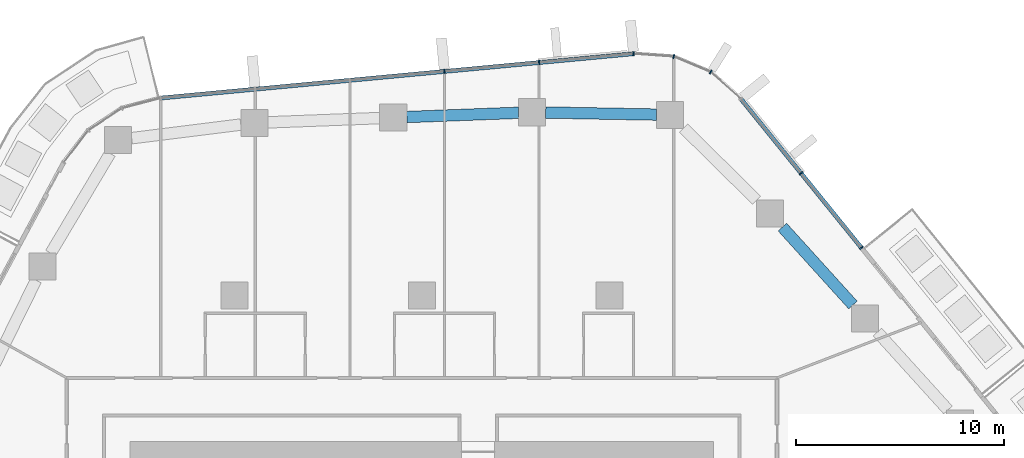
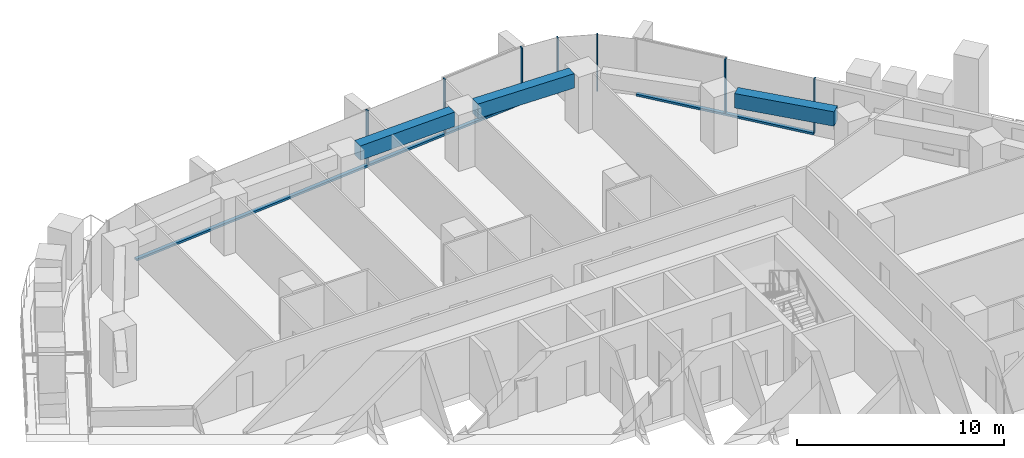
# One storey, part 8 of 24: 9 members, 3 beams, 3 elements without a shape of their own.
"""IFC4 building model written with IfcOpenShell, lengths in metres."""

from ifc_helpers import new_model, si_unit, direction, frame, origin, origin_2d, place, context, subcontext, project, spatial, rectangle, extrude, material, layer, layer_set, material_profile, profile_set, type_object, element, aggregate, save


model = new_model("IFC4")

# Units and contexts
model_context = context("Model", 3, precision=1e-05, world=origin(), true_north=direction((0.0, 1.0)))
body_context = subcontext(model_context, "Body", "Model", "MODEL_VIEW")
ifc_project = project(units=[si_unit("LENGTHUNIT", "METRE"), si_unit("AREAUNIT", "SQUARE_METRE"), si_unit("VOLUMEUNIT", "CUBIC_METRE"), si_unit("PLANEANGLEUNIT", "RADIAN"), si_unit("MASSUNIT", "GRAM", prefix="KILO")], contexts=[model_context])

# Site, building, storey
site_placement = place(None, origin())
site = spatial("IfcSite", under=ifc_project, at=site_placement, CompositionType="ELEMENT")
building_placement = place(site_placement, origin())
building = spatial("IfcBuilding", under=site, at=building_placement, Name="Dongbaek Canopy Tower", CompositionType="ELEMENT")
storey_placement = place(building_placement, frame((0.0, 0.0, 124.800048828125)))
storey = spatial("IfcBuildingStorey", under=building, at=storey_placement, Name="L27", CompositionType="ELEMENT", Elevation=124.800048828125)

# Curtain wall, members
ifc_material_1 = material(Name="Aluminium 6063-T6 pale anodised", Category="aluminium")
ifc_layer = layer(ifc_material_1, 0.199951171875)
ifc_layer_set = layer_set([ifc_layer], Name="CW-1 unitised tower curtain wall")
curtain_wall_type = type_object("IfcCurtainWallType", Name="CW-1 unitised tower curtain wall", PredefinedType="NOTDEFINED", material=ifc_layer_set)
curtain_wall_1_placement = place(storey_placement, origin())
curtain_wall_1 = element("IfcCurtainWall", 1, at=curtain_wall_1_placement, inside=storey, type_object=curtain_wall_type, Name="CW-1 curtain wall F0.1", PredefinedType="NOTDEFINED")
ifc_material_2 = material(Name="Aluminium 6063-T6 pale anodised", Category="aluminium")
ifc_material_profile_1 = material_profile(ifc_material_2, rectangle(XDim=0.199951171875, YDim=0.06005859375, at=origin_2d()), Name="CW-1 mullion 60 x 200")
ifc_profile_set_1 = profile_set([ifc_material_profile_1], Name="Aluminium 6063-T6 pale anodised")
member_type_1 = type_object("IfcMemberType", Name="CW-1 mullion 60 x 200", PredefinedType="MULLION", material=ifc_profile_set_1)
member_1_placement = place(storey_placement, frame((21.099609375, 20.295654296875, 0.119873046875), z_axis=(0.0, 0.0, 1.0), x_axis=(0.777161000453, 0.629301818982, 0.0)))
member_1 = element("IfcMember", 2, at=member_1_placement, type_object=member_type_1, Name="CW-1 mullion F0.1.1", PredefinedType="MULLION", context=body_context, shape_type="SweptSolid", body=[
    extrude(rectangle(XDim=0.199951171875, YDim=0.06005859375, at=origin_2d()), origin(), (0.0, 0.0, 1.0), 3.18017578125),
])
member_2_placement = place(storey_placement, frame((18.203125, 23.87255859375, 0.119873046875), z_axis=(0.0, 0.0, 1.0), x_axis=(0.777161000453, 0.629301818982, 0.0)))
member_2 = element("IfcMember", 3, at=member_2_placement, type_object=member_type_1, Name="CW-1 mullion F0.1.2", PredefinedType="MULLION", context=body_context, shape_type="SweptSolid", body=[
    extrude(rectangle(XDim=0.199951171875, YDim=0.06005859375, at=origin_2d()), origin(), (0.0, 0.0, 1.0), 3.18017578125),
])

curtain_wall_2_placement = place(storey_placement, origin())
curtain_wall_2 = element("IfcCurtainWall", 4, at=curtain_wall_2_placement, inside=storey, type_object=curtain_wall_type, Name="CW-1 curtain wall K1.1", PredefinedType="NOTDEFINED")
member_3_placement = place(storey_placement, frame((13.865966796875, 28.727294921875, 0.0), z_axis=(0.0, 0.0, 1.0), x_axis=(0.53309103592, 0.846057886566, 0.0)))
member_3 = element("IfcMember", 5, at=member_3_placement, type_object=member_type_1, Name="CW-1 mullion K1.1.2", PredefinedType="MULLION", context=body_context, shape_type="SweptSolid", body=[
    extrude(rectangle(XDim=0.199951171875, YDim=0.06005859375, at=origin_2d()), origin(), (0.0, 0.0, 1.0), 3.300048828125),
])
member_4_placement = place(storey_placement, frame((12.09130859375, 29.47412109375, 0.0), z_axis=(0.0, 0.0, 1.0), x_axis=(0.232218440761, 0.972663660147, 0.0)))
member_4 = element("IfcMember", 6, at=member_4_placement, type_object=member_type_1, Name="CW-1 mullion K1.1.3", PredefinedType="MULLION", context=body_context, shape_type="SweptSolid", body=[
    extrude(rectangle(XDim=0.199951171875, YDim=0.06005859375, at=origin_2d()), origin(), (0.0, 0.0, 1.0), 3.300048828125),
])
member_5_placement = place(storey_placement, frame((10.162353515625, 29.610107421875, 0.0), z_axis=(0.0, 0.0, 1.0), x_axis=(0.070353695471, 0.997522108794, 0.0)))
member_5 = element("IfcMember", 7, at=member_5_placement, type_object=member_type_1, Name="CW-1 mullion K1.1.4", PredefinedType="MULLION", context=body_context, shape_type="SweptSolid", body=[
    extrude(rectangle(XDim=0.199951171875, YDim=0.06005859375, at=origin_2d()), origin(), (0.0, 0.0, 1.0), 3.300048828125),
])
aggregate(curtain_wall_2, [member_3, member_4, member_5])

curtain_wall_3_placement = place(storey_placement, origin())
curtain_wall_3 = element("IfcCurtainWall", 8, at=curtain_wall_3_placement, inside=storey, type_object=curtain_wall_type, Name="CW-1 curtain wall F1.1", PredefinedType="NOTDEFINED")
member_6_placement = place(storey_placement, frame((5.628662109375, 29.184814453125, 0.119873046875), z_axis=(0.0, 0.0, 1.0), x_axis=(-0.093397804951, 0.995628871634, 0.0)))
member_6 = element("IfcMember", 9, at=member_6_placement, type_object=member_type_1, Name="CW-1 mullion F1.1.2", PredefinedType="MULLION", context=body_context, shape_type="SweptSolid", body=[
    extrude(rectangle(XDim=0.199951171875, YDim=0.06005859375, at=origin_2d()), origin(), (0.0, 0.0, 1.0), 3.18017578125),
])
member_7_placement = place(storey_placement, frame((1.0869140625, 28.7587890625, 0.119873046875), z_axis=(0.0, 0.0, 1.0), x_axis=(-0.093397804951, 0.995628871634, 0.0)))
member_7 = element("IfcMember", 10, at=member_7_placement, type_object=member_type_1, Name="CW-1 mullion F1.1.3", PredefinedType="MULLION", context=body_context, shape_type="SweptSolid", body=[
    extrude(rectangle(XDim=0.199951171875, YDim=0.06005859375, at=origin_2d()), origin(), (0.0, 0.0, 1.0), 3.18017578125),
])

# Member
ifc_material_3 = material(Name="Aluminium 6063-T6 pale anodised", Category="aluminium")
ifc_material_profile_2 = material_profile(ifc_material_3, rectangle(XDim=0.199951171875, YDim=0.1201171875, at=origin_2d()), Name="CW-1 transom 120 x 200")
ifc_profile_set_2 = profile_set([ifc_material_profile_2], Name="Aluminium 6063-T6 pale anodised")
member_type_2 = type_object("IfcMemberType", Name="CW-1 transom 120 x 200", PredefinedType="USERDEFINED", material=ifc_profile_set_2)
member_8_placement = place(storey_placement, frame((21.099609375, 20.295654296875, 0.06005859375), z_axis=(-0.629300552765, 0.777162025764, 0.0), x_axis=(-0.777162025764, -0.629300552765, 0.0)))
member_8 = element("IfcMember", 11, at=member_8_placement, type_object=member_type_2, Name="CW-1 transom F0.1.1", ObjectType="TRANSOM", PredefinedType="USERDEFINED", context=body_context, shape_type="SweptSolid", body=[
    extrude(rectangle(XDim=0.199951171875, YDim=0.1201171875, at=origin_2d()), origin(), (0.0, 0.0, 1.0), 9.19677734375),
])

aggregate(curtain_wall_1, [member_1, member_2, member_8])

member_9_placement = place(storey_placement, frame((10.162353515625, 29.610107421875, 0.06005859375), z_axis=(-0.995629216218, -0.09339413158, 0.0), x_axis=(0.09339413158, -0.995629216218, 0.0)))
member_9 = element("IfcMember", 12, at=member_9_placement, type_object=member_type_2, Name="CW-1 transom F1.1.1", ObjectType="TRANSOM", PredefinedType="USERDEFINED", context=body_context, shape_type="SweptSolid", body=[
    extrude(rectangle(XDim=0.199951171875, YDim=0.1201171875, at=origin_2d()), origin(), (0.0, 0.0, 1.0), 22.792236328125),
])

aggregate(curtain_wall_3, [member_6, member_7, member_9])

# Beams
ifc_material_4 = material(Name="Concrete C80", Category="concrete")
ifc_material_profile_3 = material_profile(ifc_material_4, rectangle(XDim=0.550048828125, YDim=0.85009765625, at=origin_2d()), Name="RC EDGE BEAM 550x850 C80")
ifc_profile_set_3 = profile_set([ifc_material_profile_3], Name="Concrete C80")
beam_type = type_object("IfcBeamType", Name="RC EDGE BEAM 550x850 C80", PredefinedType="BEAM", material=ifc_profile_set_3)
beam_1_placement = place(storey_placement, frame((-0.721923828125, 26.56884765625, 2.875), z_axis=(0.999275939063, 0.03804730751, 0.0), x_axis=(-0.03804730751, 0.999275939063, 0.0)))
element("IfcBeam", 13, at=beam_1_placement, inside=storey, type_object=beam_type, Name="EDGEBEAM:L27:15", PredefinedType="BEAM", context=body_context, shape_type="SweptSolid", body=[
    extrude(rectangle(XDim=0.550048828125, YDim=0.85009765625, at=origin_2d()), origin(), (0.0, 0.0, 1.0), 5.370849609375),
])
beam_2_placement = place(storey_placement, frame((5.945068359375, 26.785888671875, 2.875), z_axis=(0.999824893163, -0.018713177504, 0.0), x_axis=(0.018713177504, 0.999824893163, 0.0)))
element("IfcBeam", 14, at=beam_2_placement, inside=storey, type_object=beam_type, Name="EDGEBEAM:L27:16", PredefinedType="BEAM", context=body_context, shape_type="SweptSolid", body=[
    extrude(rectangle(XDim=0.550048828125, YDim=0.85009765625, at=origin_2d()), origin(), (0.0, 0.0, 1.0), 5.322998046875),
])
beam_3_placement = place(storey_placement, frame((17.306640625, 21.284912109375, 2.875), z_axis=(0.671331632341, -0.741157094966, 0.0), x_axis=(0.741157094966, 0.671331632341, 0.0)))
element("IfcBeam", 15, at=beam_3_placement, inside=storey, type_object=beam_type, Name="EDGEBEAM:L27:18", PredefinedType="BEAM", context=body_context, shape_type="SweptSolid", body=[
    extrude(rectangle(XDim=0.550048828125, YDim=0.85009765625, at=origin_2d()), origin(), (0.0, 0.0, 1.0), 5.041748046875),
])

save(model, "model.ifc")
